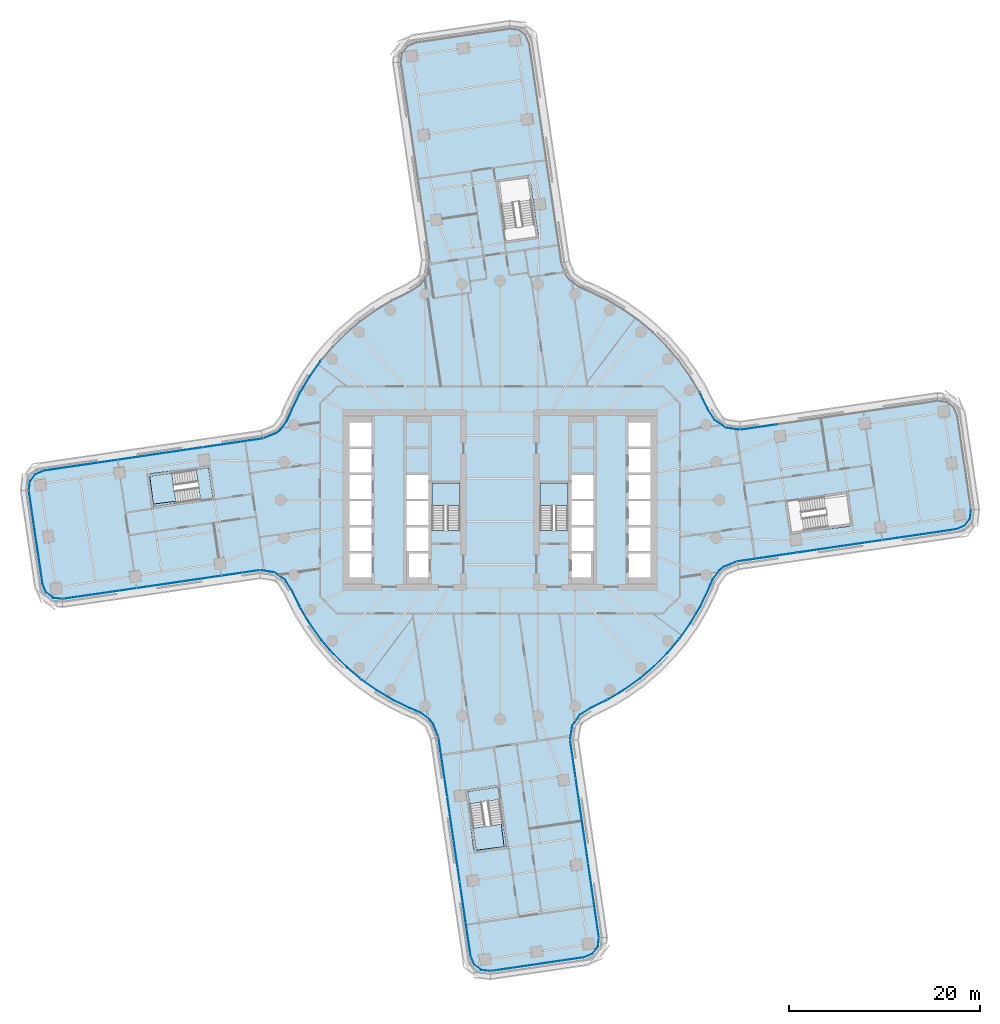
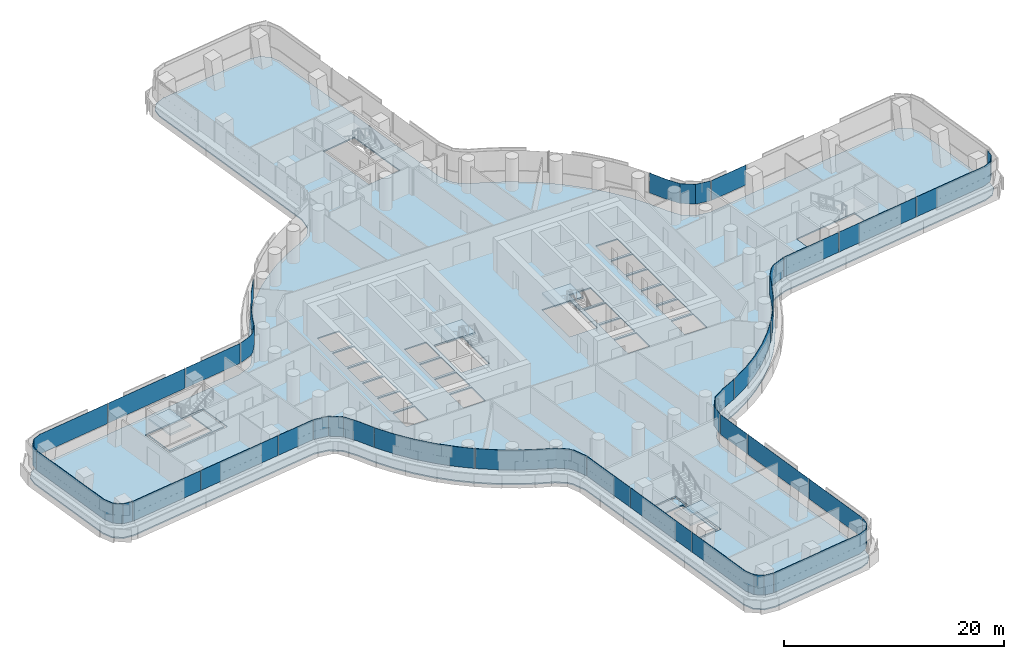
# One storey, part 17 of 31: 26 plates, 7 slabs, 16 elements without a shape of their own.
"""IFC4 building model written with IfcOpenShell, lengths in metres."""

import ifcopenshell
import ifcopenshell.guid

model = None  # the IFC model being written
_history = None  # IfcOwnerHistory: only IFC2X3 demands one
_inside = {}  # id of a spatial element -> (the spatial element, [elements in it])
_under = {}  # id of a project, library or spatial element -> (it, [spatial elements below it])
_declared = {}  # id of a project -> (the project, [libraries it declares])
_typed = {}  # id of a type object -> (the type object, [elements of that type])
_made_of = {}  # id of a material, layer set ... -> (it, [elements and type objects made of it])


def new_model(schema):
    """Start an empty IFC model of exactly this schema.

    Asked for "IFC4X3", IfcOpenShell would pick the latest addendum, in which some entities
    have other attributes; the version numbers below select the first issue.
    IFC2X3 requires an IfcOwnerHistory on every rooted entity: one is made here for all.
    """
    global model, _history
    if schema == "IFC4X3":
        model = ifcopenshell.file(schema_version=(4, 3, 0, 0))
    else:
        model = ifcopenshell.file(schema=schema)
    _inside.clear()
    _under.clear()
    _declared.clear()
    _typed.clear()
    _made_of.clear()
    _history = None
    if model.schema == "IFC2X3":
        org = make("IfcOrganization", Name="unknown")
        user = make(
            "IfcPersonAndOrganization",
            ThePerson=make("IfcPerson", FamilyName="unknown"),
            TheOrganization=org,
        )
        app = make(
            "IfcApplication",
            ApplicationDeveloper=org,
            Version="unknown",
            ApplicationFullName="unknown",
            ApplicationIdentifier="unknown",
        )
        _history = make(
            "IfcOwnerHistory",
            OwningUser=user,
            OwningApplication=app,
            ChangeAction="ADDED",
            CreationDate=0,
        )
    return model


def make(cls, **values):
    """One entity of the class cls with the attributes given. An attribute that is None is left unset."""
    return model.create_entity(
        cls, **{name: value for name, value in values.items() if value is not None}
    )


def rooted(cls, **values):
    """An entity with a GlobalId (a new one), such as an element, a storey or a relation."""
    return make(cls, GlobalId=ifcopenshell.guid.new(), OwnerHistory=_history, **values)


def si_unit(unit_type, name, prefix=None):
    """IfcSIUnit, for example si_unit("LENGTHUNIT", "METRE", prefix="MILLI")."""
    return make("IfcSIUnit", UnitType=unit_type, Prefix=prefix, Name=name)


def assignment(units):
    """IfcUnitAssignment: the units of a project."""
    return None if units is None else make("IfcUnitAssignment", Units=units)


def point(xyz):
    """IfcCartesianPoint."""
    return None if xyz is None else make("IfcCartesianPoint", Coordinates=xyz)


def direction(xyz):
    """IfcDirection."""
    return None if xyz is None else make("IfcDirection", DirectionRatios=xyz)


def frame(location, z_axis=None, x_axis=None):
    """IfcAxis2Placement3D, a coordinate frame: its origin and axes. An axis left out is left unset."""
    return make(
        "IfcAxis2Placement3D",
        Location=point(location),
        Axis=direction(z_axis),
        RefDirection=direction(x_axis),
    )


def origin():
    """The frame at (0, 0, 0) with its axes left unset."""
    return frame((0.0, 0.0, 0.0))


def place(relative_to, where):
    """IfcLocalPlacement: puts the frame where relative to a parent placement (None: the world)."""
    return make(
        "IfcLocalPlacement", PlacementRelTo=relative_to, RelativePlacement=where
    )


def context(
    kind, dimensions, precision=None, world=None, true_north=None, identifier=None
):
    """IfcGeometricRepresentationContext, for example the 3D "Model" context."""
    return make(
        "IfcGeometricRepresentationContext",
        ContextIdentifier=identifier,
        ContextType=kind,
        CoordinateSpaceDimension=dimensions,
        Precision=precision,
        WorldCoordinateSystem=world,
        TrueNorth=true_north,
    )


def subcontext(parent, identifier, kind, view, scale=None):
    """IfcGeometricRepresentationSubContext, for example "Body" below "Model"."""
    return make(
        "IfcGeometricRepresentationSubContext",
        ContextIdentifier=identifier,
        ContextType=kind,
        ParentContext=parent,
        TargetScale=scale,
        TargetView=view,
    )


def project(units=None, contexts=None):
    """IfcProject with its units and contexts."""
    return rooted(
        "IfcProject",
        Name="project",
        RepresentationContexts=contexts,
        UnitsInContext=assignment(units),
    )


def spatial(cls, under=None, at=None, **own):
    """A site, building, storey or space (cls), placed at a placement, below another one or the project."""
    s = rooted(cls, ObjectPlacement=at, **own)
    if under is not None:
        _under.setdefault(under.id(), (under, []))[1].append(s)
    return s


def polyline(points):
    """IfcPolyline through the points."""
    return make("IfcPolyline", Points=[point(p) for p in points])


def outline(outer, holes=None, kind="AREA"):
    """IfcArbitraryClosedProfileDef: a profile drawn as a closed curve; with holes, ...WithVoids."""
    if holes is None:
        return make("IfcArbitraryClosedProfileDef", ProfileType=kind, OuterCurve=outer)
    return make(
        "IfcArbitraryProfileDefWithVoids",
        ProfileType=kind,
        OuterCurve=outer,
        InnerCurves=holes,
    )


def extrude(swept, where, along, depth):
    """IfcExtrudedAreaSolid: the profile swept, set in the frame where, extruded along a direction by depth."""
    return make(
        "IfcExtrudedAreaSolid",
        SweptArea=swept,
        Position=where,
        ExtrudedDirection=direction(along),
        Depth=depth,
    )


def shape(context_of_items, identifier, shape_type, items):
    """IfcShapeRepresentation: the items that make up one representation, for example the "Body"."""
    return make(
        "IfcShapeRepresentation",
        ContextOfItems=context_of_items,
        RepresentationIdentifier=identifier,
        RepresentationType=shape_type,
        Items=items,
    )


def material(Name=None, Category=None):
    """IfcMaterial."""
    return make("IfcMaterial", Name=Name, Category=Category)


def layer(
    of_material, thickness, ventilated=None, Name=None, Category=None, Priority=None
):
    """IfcMaterialLayer: one layer of a wall or slab, of a material (None: an air gap)."""
    return make(
        "IfcMaterialLayer",
        Material=of_material,
        LayerThickness=thickness,
        IsVentilated=ventilated,
        Name=Name,
        Category=Category,
        Priority=Priority,
    )


def layer_set(layers, Name=None):
    """IfcMaterialLayerSet."""
    return make("IfcMaterialLayerSet", MaterialLayers=layers, LayerSetName=Name)


def made_of(thing, what):
    """Note that an element or type object is made of a material, layer set ...; save() writes the relation."""
    if what is not None:
        _made_of.setdefault(what.id(), (what, []))[1].append(thing)
    return thing


def type_object(cls, material=None, **own):
    """A type object (cls), such as IfcWallType, which elements share."""
    return made_of(rooted(cls, **own), material)


def element(
    cls,
    number,
    at=None,
    inside=None,
    cuts=None,
    type_object=None,
    material=None,
    context=None,
    identifier="Body",
    shape_type=None,
    held_by="IfcProductDefinitionShape",
    body=None,
    shapes=None,
    **own,
):
    """One element of the class cls, such as IfcWall. Its Tag is "e" and its number.

    at: its placement. inside: the storey or other place that contains it. cuts: it is an
    opening in that element (IfcRelVoidsElement). A single representation is given by context,
    identifier, shape_type and body (its items); several are given by shapes. held_by: the class
    of the entity that holds the representations. save() writes the other relations.
    """
    e = rooted(cls, Tag="e%d" % number, ObjectPlacement=at, **own)
    if body is not None:
        shapes = [shape(context, identifier, shape_type, body)]
    if shapes is not None:
        e.Representation = make(held_by, Representations=shapes)
    if inside is not None:
        _inside.setdefault(inside.id(), (inside, []))[1].append(e)
    if cuts is not None:
        rooted(
            "IfcRelVoidsElement", RelatingBuildingElement=cuts, RelatedOpeningElement=e
        )
    if type_object is not None:
        _typed.setdefault(type_object.id(), (type_object, []))[1].append(e)
    return made_of(e, material)


def aggregate(whole, parts):
    """IfcRelAggregates: a whole, such as a stair, and the parts it consists of."""
    return rooted("IfcRelAggregates", RelatingObject=whole, RelatedObjects=parts)


def save(model, path):
    """Write the relations noted so far, then the file.

    IfcRelAggregates (storeys below a building ...), IfcRelContainedInSpatialStructure (elements
    in a storey), IfcRelDefinesByType, IfcRelAssociatesMaterial and IfcRelDeclares: one each for
    every whole, place, type object, material and project.
    """
    for whole, parts in _under.values():
        aggregate(whole, parts)
    for where, things in _inside.values():
        rooted(
            "IfcRelContainedInSpatialStructure",
            RelatedElements=things,
            RelatingStructure=where,
        )
    for kind, things in _typed.values():
        rooted("IfcRelDefinesByType", RelatedObjects=things, RelatingType=kind)
    for what, things in _made_of.values():
        rooted("IfcRelAssociatesMaterial", RelatedObjects=things, RelatingMaterial=what)
    for by, libraries in _declared.values():
        rooted("IfcRelDeclares", RelatingContext=by, RelatedDefinitions=libraries)
    model.write(path)


model = new_model("IFC4")

# Units and contexts
model_context = context("Model", 3, precision=1e-05, world=origin(), true_north=direction((0.0, 1.0)))
body_context = subcontext(model_context, "Body", "Model", "MODEL_VIEW")
ifc_project = project(units=[si_unit("LENGTHUNIT", "METRE"), si_unit("AREAUNIT", "SQUARE_METRE"), si_unit("VOLUMEUNIT", "CUBIC_METRE"), si_unit("PLANEANGLEUNIT", "RADIAN"), si_unit("MASSUNIT", "GRAM", prefix="KILO")], contexts=[model_context])

# Site, building, storey
site_placement = place(None, origin())
site = spatial("IfcSite", under=ifc_project, at=site_placement, CompositionType="ELEMENT")
building_placement = place(site_placement, origin())
building = spatial("IfcBuilding", under=site, at=building_placement, Name="Tamarind Cross Interchange Tower", CompositionType="ELEMENT")
storey_placement = place(building_placement, frame((0.0, 0.0, 64.0)))
storey = spatial("IfcBuildingStorey", under=building, at=storey_placement, Name="L14", CompositionType="ELEMENT", Elevation=64.0)

# Slabs
ifc_material_1 = material(Name="Concrete C35", Category="concrete")
ifc_layer_1 = layer(ifc_material_1, 0.139892578125)
ifc_layer_set_1 = layer_set([ifc_layer_1], Name="Concrete C35")
slab_type_1 = type_object("IfcSlabType", Name="Composite slab 140 Concrete C35", PredefinedType="FLOOR", material=ifc_layer_set_1)
slab_1_placement = place(storey_placement, frame((0.0, 0.0, -0.139892578125)))
element("IfcSlab", 1, at=slab_1_placement, inside=storey, type_object=slab_type_1, Name="Floor slab L14", PredefinedType="FLOOR", context=body_context, shape_type="SweptSolid", body=[
    extrude(outline(polyline([(-23.57470703125, 7.184814453125), (-24.89453125, 6.64990234375), (-47.9326171875, 3.264892578125), (-48.883056640625, 2.8544921875), (-49.5009765625, 2.023681640625), (-49.62060546875, 0.99560546875), (-48.1669921875, -8.898193359375), (-47.756591796875, -9.8486328125), (-46.92578125, -10.466552734375), (-45.897705078125, -10.586181640625), (-25.177490234375, -7.567138671875), (-23.765380859375, -7.775634765625), (-22.6806640625, -8.518798828125), (-21.93310546875, -9.7333984375), (-21.054443359375, -11.511474609375), (-20.031982421875, -13.2109375), (-18.87255859375, -14.820068359375), (-17.584228515625, -16.327880859375), (-16.17578125, -17.72412109375), (-14.656982421875, -18.99951171875), (-13.0380859375, -20.14501953125), (-11.329833984375, -21.15283203125), (-9.54443359375, -22.01611328125), (-8.440673828125, -22.483642578125), (-7.503173828125, -23.1748046875), (-7.184814453125, -23.57470703125), (-6.64990234375, -24.89453125), (-3.264892578125, -47.9326171875), (-2.8544921875, -48.883056640625), (-2.023681640625, -49.5009765625), (-0.99560546875, -49.62060546875), (8.898193359375, -48.1669921875), (9.8486328125, -47.756591796875), (10.466552734375, -46.92578125), (10.586181640625, -45.897705078125), (7.567138671875, -25.177490234375), (7.775634765625, -23.765380859375), (8.518798828125, -22.6806640625), (9.7333984375, -21.93310546875), (11.511474609375, -21.054443359375), (13.2109375, -20.031982421875), (14.820068359375, -18.87255859375), (16.327880859375, -17.584228515625), (17.72412109375, -16.17578125), (18.99951171875, -14.656982421875), (20.14501953125, -13.0380859375), (21.15283203125, -11.329833984375), (22.01611328125, -9.54443359375), (22.483642578125, -8.440673828125), (23.1748046875, -7.503173828125), (23.57470703125, -7.184814453125), (24.89453125, -6.64990234375), (47.9326171875, -3.264892578125), (48.883056640625, -2.8544921875), (49.5009765625, -2.023681640625), (49.62060546875, -0.99560546875), (48.1669921875, 8.898193359375), (47.756591796875, 9.8486328125), (46.92578125, 10.466552734375), (45.897705078125, 10.586181640625), (25.177490234375, 7.567138671875), (23.765380859375, 7.775634765625), (22.6806640625, 8.518798828125), (21.93310546875, 9.7333984375), (21.054443359375, 11.511474609375), (20.031982421875, 13.2109375), (18.87255859375, 14.820068359375), (17.584228515625, 16.327880859375), (16.17578125, 17.72412109375), (14.656982421875, 18.99951171875), (13.0380859375, 20.14501953125), (11.329833984375, 21.15283203125), (9.54443359375, 22.01611328125), (8.440673828125, 22.483642578125), (7.503173828125, 23.1748046875), (7.184814453125, 23.57470703125), (6.64990234375, 24.89453125), (3.264892578125, 47.9326171875), (2.8544921875, 48.883056640625), (2.023681640625, 49.5009765625), (0.99560546875, 49.62060546875), (-8.898193359375, 48.1669921875), (-9.8486328125, 47.756591796875), (-10.466552734375, 46.92578125), (-10.586181640625, 45.897705078125), (-7.567138671875, 25.177490234375), (-7.775634765625, 23.765380859375), (-8.518798828125, 22.6806640625), (-9.7333984375, 21.93310546875), (-11.511474609375, 21.054443359375), (-13.2109375, 20.031982421875), (-14.820068359375, 18.87255859375), (-16.327880859375, 17.584228515625), (-17.72412109375, 16.17578125), (-18.99951171875, 14.656982421875), (-20.14501953125, 13.0380859375), (-21.15283203125, 11.329833984375), (-22.01611328125, 9.54443359375), (-22.483642578125, 8.440673828125), (-23.1748046875, 7.503173828125), (-23.57470703125, 7.184814453125)]), holes=[polyline([(-13.5, -8.125), (-15.800048828125, -8.125), (-15.800048828125, -5.625), (-13.5, -5.625), (-13.5, -8.125)]), polyline([(-13.5, -5.375), (-15.800048828125, -5.375), (-15.800048828125, -2.875), (-13.5, -2.875), (-13.5, -5.375)]), polyline([(-7.5, -5.375), (-9.800048828125, -5.375), (-9.800048828125, -2.875), (-7.5, -2.875), (-7.5, -5.375)]), polyline([(-15.800048828125, -2.625), (-15.800048828125, -0.125), (-13.5, -0.125), (-13.5, -2.625), (-15.800048828125, -2.625)]), polyline([(-9.800048828125, -2.625), (-9.800048828125, -0.125), (-7.5, -0.125), (-7.5, -2.625), (-9.800048828125, -2.625)]), polyline([(-36.5205078125, -0.92041015625), (-36.549560546875, -0.72265625), (-37.0146484375, 2.443359375), (-37.043701171875, 2.64111328125), (-36.76171875, 2.6826171875), (-36.769287109375, 2.7421875), (-33.50634765625, 3.160888671875), (-30.414794921875, 3.615234375), (-30.3857421875, 3.417236328125), (-29.920654296875, 0.251220703125), (-29.8916015625, 0.053466796875), (-36.5205078125, -0.92041015625)]), polyline([(-13.5, 0.125), (-15.800048828125, 0.125), (-15.800048828125, 2.625), (-13.5, 2.625), (-13.5, 0.125)]), polyline([(-9.800048828125, 0.125), (-9.800048828125, 2.625), (-7.5, 2.625), (-7.5, 0.125), (-9.800048828125, 0.125)]), polyline([(-13.5, 2.875), (-15.800048828125, 2.875), (-15.800048828125, 5.375), (-13.5, 5.375), (-13.5, 2.875)]), polyline([(-15.800048828125, 5.625), (-15.800048828125, 8.125), (-13.5, 8.125), (-13.5, 5.625), (-15.800048828125, 5.625)]), polyline([(0.92041015625, -36.5205078125), (0.72265625, -36.549560546875), (-2.443359375, -37.0146484375), (-2.64111328125, -37.043701171875), (-2.6826171875, -36.76171875), (-2.7421875, -36.769287109375), (-3.160888671875, -33.50634765625), (-3.615234375, -30.414794921875), (-3.417236328125, -30.3857421875), (-0.251220703125, -29.920654296875), (-0.053466796875, -29.8916015625), (0.92041015625, -36.5205078125)]), polyline([(-9.800048828125, -8.125), (-9.800048828125, -5.625), (-7.5, -5.625), (-7.5, -8.125), (-9.800048828125, -8.125)]), polyline([(9.800048828125, -2.875), (9.800048828125, -5.375), (7.5, -5.375), (7.5, -2.875), (9.800048828125, -2.875)]), polyline([(-4.199951171875, 1.800048828125), (-4.199951171875, -3.18798828125), (-7.14990234375, -3.18798828125), (-7.14990234375, 1.800048828125), (-4.199951171875, 1.800048828125)]), polyline([(7.14990234375, 1.800048828125), (7.14990234375, -3.18798828125), (4.199951171875, -3.18798828125), (4.199951171875, 1.800048828125), (7.14990234375, 1.800048828125)]), polyline([(4.05126953125, 27.44677734375), (3.853515625, 27.417724609375), (0.6875, 26.952392578125), (0.489501953125, 26.923583984375), (-0.484375, 33.55224609375), (-0.28662109375, 33.581298828125), (2.87939453125, 34.04638671875), (3.077392578125, 34.07568359375), (3.118896484375, 33.79296875), (3.1240234375, 33.793701171875), (3.160888671875, 33.50634765625), (4.05126953125, 27.44677734375)]), polyline([(7.5, -5.625), (9.800048828125, -5.625), (9.800048828125, -8.125), (7.5, -8.125), (7.5, -5.625)]), polyline([(15.800048828125, -5.625), (15.800048828125, -8.125), (13.5, -8.125), (13.5, -5.625), (15.800048828125, -5.625)]), polyline([(15.800048828125, -2.875), (15.800048828125, -5.375), (13.5, -5.375), (13.5, -2.875), (15.800048828125, -2.875)]), polyline([(30.414794921875, -3.615234375), (30.3857421875, -3.417236328125), (29.920654296875, -0.251220703125), (29.8916015625, -0.053466796875), (36.5205078125, 0.92041015625), (36.549560546875, 0.72265625), (37.0146484375, -2.443359375), (37.043701171875, -2.64111328125), (36.76171875, -2.6826171875), (36.769287109375, -2.7421875), (33.50634765625, -3.160888671875), (30.414794921875, -3.615234375)]), polyline([(9.800048828125, -0.125), (9.800048828125, -2.625), (7.5, -2.625), (7.5, -0.125), (9.800048828125, -0.125)]), polyline([(15.800048828125, -0.125), (15.800048828125, -2.625), (13.5, -2.625), (13.5, -0.125), (15.800048828125, -0.125)]), polyline([(9.800048828125, 2.625), (9.800048828125, 0.125), (7.5, 0.125), (7.5, 2.625), (9.800048828125, 2.625)]), polyline([(13.5, 2.625), (15.800048828125, 2.625), (15.800048828125, 0.125), (13.5, 0.125), (13.5, 2.625)]), polyline([(15.800048828125, 5.375), (15.800048828125, 2.875), (13.5, 2.875), (13.5, 5.375), (15.800048828125, 5.375)]), polyline([(15.800048828125, 8.125), (15.800048828125, 5.625), (13.5, 5.625), (13.5, 8.125), (15.800048828125, 8.125)])]), origin(), (0.0, 0.0, 1.0), 0.139892578125),
])
slab_2_placement = place(storey_placement, frame((0.0, 0.0, -0.139892578125)))
element("IfcSlab", 2, at=slab_2_placement, inside=storey, type_object=slab_type_1, Name="Floor slab L14", PredefinedType="FLOOR", context=body_context, shape_type="SweptSolid", body=[
    extrude(outline(polyline([(-36.81689453125, 2.472412109375), (-36.3515625, -0.693603515625), (-30.118408203125, 0.22216796875), (-30.583740234375, 3.38818359375), (-31.80029296875, 3.20947265625), (-31.8818359375, 3.197509765625), (-31.44140625, 0.19970703125), (-36.36181640625, -0.431884765625), (-36.736083984375, 2.484375), (-36.81689453125, 2.472412109375)])), origin(), (0.0, 0.0, 1.0), 0.139892578125),
])
slab_3_placement = place(storey_placement, frame((0.0, 0.0, -0.139892578125)))
element("IfcSlab", 3, at=slab_3_placement, inside=storey, type_object=slab_type_1, Name="Floor slab L14", PredefinedType="FLOOR", context=body_context, shape_type="SweptSolid", body=[
    extrude(outline(polyline([(-2.472412109375, -36.81689453125), (0.693603515625, -36.3515625), (-0.22216796875, -30.118408203125), (-3.38818359375, -30.583740234375), (-3.20947265625, -31.80029296875), (-3.197509765625, -31.8818359375), (-0.19970703125, -31.44140625), (0.431884765625, -36.36181640625), (-2.484375, -36.736083984375), (-2.472412109375, -36.81689453125)])), origin(), (0.0, 0.0, 1.0), 0.139892578125),
])

# Stair, slab
ifc_material_2 = material(Name="Exit stair")
stair_type = type_object("IfcStairType", Name="Exit stair", PredefinedType="HALF_TURN_STAIR", material=ifc_material_2)
stair_1_placement = place(storey_placement, origin())
stair_1 = element("IfcStair", 4, at=stair_1_placement, inside=storey, type_object=stair_type, Name="L14 exit stair ST1", PredefinedType="HALF_TURN_STAIR")
ifc_material_3 = material(Name="Concrete C40", Category="concrete")
ifc_layer_2 = layer(ifc_material_3, 0.199951171875)
ifc_layer_set_2 = layer_set([ifc_layer_2], Name="Concrete C40")
slab_type_2 = type_object("IfcSlabType", Name="Stair landing", PredefinedType="LANDING", material=ifc_layer_set_2)
slab_4_placement = place(storey_placement, frame((0.0, 0.0, 1.675048828125)))
slab_4 = element("IfcSlab", 5, at=slab_4_placement, type_object=slab_type_2, Name="ST1 landing 1", PredefinedType="LANDING", context=body_context, shape_type="SweptSolid", body=[
    extrude(outline(polyline([(-4.199951171875, -0.60009765625), (-4.199951171875, 1.800048828125), (-7.14990234375, 1.800048828125), (-7.14990234375, -0.60009765625), (-4.199951171875, -0.60009765625)])), origin(), (0.0, 0.0, 1.0), 0.199951171875),
])
aggregate(stair_1, [slab_4])

stair_2_placement = place(storey_placement, origin())
stair_2 = element("IfcStair", 6, at=stair_2_placement, inside=storey, type_object=stair_type, Name="L14 exit stair ST2", PredefinedType="HALF_TURN_STAIR")
slab_5_placement = place(storey_placement, frame((0.0, 0.0, 1.675048828125)))
slab_5 = element("IfcSlab", 7, at=slab_5_placement, type_object=slab_type_2, Name="ST2 landing 1", PredefinedType="LANDING", context=body_context, shape_type="SweptSolid", body=[
    extrude(outline(polyline([(7.14990234375, -0.60009765625), (7.14990234375, 1.800048828125), (4.199951171875, 1.800048828125), (4.199951171875, -0.60009765625), (7.14990234375, -0.60009765625)])), origin(), (0.0, 0.0, 1.0), 0.199951171875),
])
aggregate(stair_2, [slab_5])

stair_3_placement = place(storey_placement, origin())
stair_3 = element("IfcStair", 8, at=stair_3_placement, inside=storey, type_object=stair_type, Name="L14 exit stair ST5", PredefinedType="HALF_TURN_STAIR")
slab_6_placement = place(storey_placement, frame((0.0, 0.0, 1.675048828125)))
slab_6 = element("IfcSlab", 9, at=slab_6_placement, type_object=slab_type_2, Name="ST5 landing 1", PredefinedType="LANDING", context=body_context, shape_type="SweptSolid", body=[
    extrude(outline(polyline([(-34.430419921875, 2.822998046875), (-36.81689453125, 2.472412109375), (-36.3515625, -0.693603515625), (-33.96533203125, -0.343017578125), (-34.430419921875, 2.822998046875)])), origin(), (0.0, 0.0, 1.0), 0.199951171875),
])
aggregate(stair_3, [slab_6])

stair_4_placement = place(storey_placement, origin())
stair_4 = element("IfcStair", 10, at=stair_4_placement, inside=storey, type_object=stair_type, Name="L14 exit stair ST6", PredefinedType="HALF_TURN_STAIR")
slab_7_placement = place(storey_placement, frame((0.0, 0.0, 1.675048828125)))
slab_7 = element("IfcSlab", 11, at=slab_7_placement, type_object=slab_type_2, Name="ST6 landing 1", PredefinedType="LANDING", context=body_context, shape_type="SweptSolid", body=[
    extrude(outline(polyline([(-2.822998046875, -34.430419921875), (-2.472412109375, -36.81689453125), (0.693603515625, -36.3515625), (0.343017578125, -33.96533203125), (-2.822998046875, -34.430419921875)])), origin(), (0.0, 0.0, 1.0), 0.199951171875),
])
aggregate(stair_4, [slab_7])

# Curtain wall, plate
ifc_material_4 = material(Name="Aluminium 6063-T6", Category="aluminium")
ifc_layer_3 = layer(ifc_material_4, 0.159912109375)
ifc_layer_set_3 = layer_set([ifc_layer_3], Name="Aluminium 6063-T6")
curtain_wall_type = type_object("IfcCurtainWallType", Name="Office curtain wall, 9.0 m bays", PredefinedType="NOTDEFINED", material=ifc_layer_set_3)
curtain_wall_1_placement = place(storey_placement, origin())
curtain_wall_1 = element("IfcCurtainWall", 12, at=curtain_wall_1_placement, inside=storey, type_object=curtain_wall_type, Name="CWS-L14-00", PredefinedType="NOTDEFINED")
ifc_material_5 = material(Name="Laminated low-e glass 8+1.52+8", Category="glass")
ifc_layer_4 = layer(ifc_material_5, 0.028076171875)
ifc_layer_set_4 = layer_set([ifc_layer_4], Name="Laminated low-e glass 8+1.52+8")
plate_type = type_object("IfcPlateType", Name="Vision panel CW1", PredefinedType="CURTAIN_PANEL", material=ifc_layer_set_4)
plate_1_placement = place(storey_placement, frame((0.0, 0.0, 1.39990234375)))
plate_1 = element("IfcPlate", 13, at=plate_1_placement, type_object=plate_type, Name="CWP-L14-00-00", PredefinedType="CURTAIN_PANEL", context=body_context, shape_type="SweptSolid", body=[
    extrude(outline(polyline([(-49.40087890625, 0.970947265625), (-47.95947265625, -8.83935546875), (-47.5830078125, -9.711181640625), (-46.84423828125, -10.2607421875), (-45.9287109375, -10.3671875), (-45.931884765625, -10.39501953125), (-46.85498046875, -10.28759765625), (-47.605712890625, -9.729248046875), (-47.986572265625, -8.846923828125), (-49.428466796875, 0.966796875), (-49.40087890625, 0.970947265625)])), origin(), (0.0, 0.0, 1.0), 2.210205078125),
])
aggregate(curtain_wall_1, [plate_1])

# Curtain wall, plates
curtain_wall_2_placement = place(storey_placement, origin())
curtain_wall_2 = element("IfcCurtainWall", 14, at=curtain_wall_2_placement, inside=storey, type_object=curtain_wall_type, Name="CWS-L14-01", PredefinedType="NOTDEFINED")
plate_2_placement = place(storey_placement, frame((0.0, 0.0, 1.39990234375)))
plate_2 = element("IfcPlate", 15, at=plate_2_placement, type_object=plate_type, Name="CWP-L14-01-00", PredefinedType="CURTAIN_PANEL", context=body_context, shape_type="SweptSolid", body=[
    extrude(outline(polyline([(-45.872802734375, -10.366455078125), (-38.130859375, -9.23828125), (-38.126708984375, -9.26611328125), (-45.868896484375, -10.39404296875), (-45.872802734375, -10.366455078125)])), origin(), (0.0, 0.0, 1.0), 2.210205078125),
])
plate_3_placement = place(storey_placement, frame((0.0, 0.0, 1.39990234375)))
plate_3 = element("IfcPlate", 16, at=plate_3_placement, type_object=plate_type, Name="CWP-L14-01-01", PredefinedType="CURTAIN_PANEL", context=body_context, shape_type="SweptSolid", body=[
    extrude(outline(polyline([(-38.071533203125, -9.229736328125), (-29.2236328125, -7.9404296875), (-29.219482421875, -7.96826171875), (-38.0673828125, -9.25732421875), (-38.071533203125, -9.229736328125)])), origin(), (0.0, 0.0, 1.0), 2.210205078125),
])
plate_4_placement = place(storey_placement, frame((0.0, 0.0, 1.39990234375)))
plate_4 = element("IfcPlate", 17, at=plate_4_placement, type_object=plate_type, Name="CWP-L14-01-02", PredefinedType="CURTAIN_PANEL", context=body_context, shape_type="SweptSolid", body=[
    extrude(outline(polyline([(-29.1640625, -7.931884765625), (-25.208984375, -7.35546875), (-25.204833984375, -7.38330078125), (-29.16015625, -7.95947265625), (-29.1640625, -7.931884765625)])), origin(), (0.0, 0.0, 1.0), 2.210205078125),
])
aggregate(curtain_wall_2, [plate_2, plate_3, plate_4])

curtain_wall_3_placement = place(storey_placement, origin())
curtain_wall_3 = element("IfcCurtainWall", 18, at=curtain_wall_3_placement, inside=storey, type_object=curtain_wall_type, Name="CWS-L14-02", PredefinedType="NOTDEFINED")
plate_5_placement = place(storey_placement, frame((0.0, 0.0, 1.39990234375)))
plate_5 = element("IfcPlate", 19, at=plate_5_placement, type_object=plate_type, Name="CWP-L14-02-00", PredefinedType="CURTAIN_PANEL", context=body_context, shape_type="SweptSolid", body=[
    extrude(outline(polyline([(-25.1455078125, -7.35546875), (-23.685302734375, -7.5712890625), (-22.522216796875, -8.367919921875), (-21.74560546875, -9.6298828125), (-20.960205078125, -11.218994140625), (-20.9853515625, -11.2314453125), (-21.770263671875, -9.643310546875), (-22.54296875, -8.3876953125), (-23.69580078125, -7.597900390625), (-25.149658203125, -7.38330078125), (-25.1455078125, -7.35546875)])), origin(), (0.0, 0.0, 1.0), 2.210205078125),
])
plate_6_placement = place(storey_placement, frame((0.0, 0.0, 1.39990234375)))
plate_6 = element("IfcPlate", 20, at=plate_6_placement, type_object=plate_type, Name="CWP-L14-02-01", PredefinedType="CURTAIN_PANEL", context=body_context, shape_type="SweptSolid", body=[
    extrude(outline(polyline([(-20.93359375, -11.27294921875), (-20.866455078125, -11.40869140625), (-19.85302734375, -13.093017578125), (-18.7041015625, -14.687744140625), (-17.42724609375, -16.18212890625), (-16.031494140625, -17.56591796875), (-14.68408203125, -18.697265625), (-14.7021484375, -18.718505859375), (-16.05029296875, -17.586669921875), (-17.44775390625, -16.201171875), (-18.72607421875, -14.705078125), (-19.87646484375, -13.1083984375), (-20.89111328125, -11.422119140625), (-20.958740234375, -11.285400390625), (-20.93359375, -11.27294921875)])), origin(), (0.0, 0.0, 1.0), 2.210205078125),
])
plate_7_placement = place(storey_placement, frame((0.0, 0.0, 1.39990234375)))
plate_7 = element("IfcPlate", 21, at=plate_7_placement, type_object=plate_type, Name="CWP-L14-02-02", PredefinedType="CURTAIN_PANEL", context=body_context, shape_type="SweptSolid", body=[
    extrude(outline(polyline([(-14.63818359375, -18.73583984375), (-14.526123046875, -18.829833984375), (-12.921630859375, -19.965087890625), (-11.228759765625, -20.9638671875), (-9.4560546875, -21.821044921875), (-8.333984375, -22.29638671875), (-7.353271484375, -23.019287109375), (-6.998046875, -23.465576171875), (-6.453857421875, -24.80859375), (-6.479736328125, -24.819091796875), (-7.0224609375, -23.47998046875), (-7.373046875, -23.03955078125), (-8.347900390625, -22.321044921875), (-9.467529296875, -21.8466796875), (-11.241943359375, -20.98876953125), (-12.936767578125, -19.988525390625), (-14.543212890625, -18.85205078125), (-14.65625, -18.75732421875), (-14.63818359375, -18.73583984375)])), origin(), (0.0, 0.0, 1.0), 2.210205078125),
])
aggregate(curtain_wall_3, [plate_5, plate_6, plate_7])

curtain_wall_4_placement = place(storey_placement, origin())
curtain_wall_4 = element("IfcCurtainWall", 22, at=curtain_wall_4_placement, inside=storey, type_object=curtain_wall_type, Name="CWS-L14-03", PredefinedType="NOTDEFINED")
plate_8_placement = place(storey_placement, frame((0.0, 0.0, 1.39990234375)))
plate_8 = element("IfcPlate", 23, at=plate_8_placement, type_object=plate_type, Name="CWP-L14-03-00", PredefinedType="CURTAIN_PANEL", context=body_context, shape_type="SweptSolid", body=[
    extrude(outline(polyline([(-6.437255859375, -24.869384765625), (-5.515380859375, -31.144287109375), (-5.54296875, -31.148193359375), (-6.465087890625, -24.873291015625), (-6.437255859375, -24.869384765625)])), origin(), (0.0, 0.0, 1.0), 2.210205078125),
])
plate_9_placement = place(storey_placement, frame((0.0, 0.0, 1.39990234375)))
plate_9 = element("IfcPlate", 24, at=plate_9_placement, type_object=plate_type, Name="CWP-L14-03-01", PredefinedType="CURTAIN_PANEL", context=body_context, shape_type="SweptSolid", body=[
    extrude(outline(polyline([(-5.506591796875, -31.20361328125), (-4.207275390625, -40.0478515625), (-4.23486328125, -40.0517578125), (-5.534423828125, -31.207763671875), (-5.506591796875, -31.20361328125)])), origin(), (0.0, 0.0, 1.0), 2.210205078125),
])
plate_10_placement = place(storey_placement, frame((0.0, 0.0, 1.39990234375)))
plate_10 = element("IfcPlate", 25, at=plate_10_placement, type_object=plate_type, Name="CWP-L14-03-02", PredefinedType="CURTAIN_PANEL", context=body_context, shape_type="SweptSolid", body=[
    extrude(outline(polyline([(-4.198486328125, -40.107177734375), (-3.057373046875, -47.873779296875), (-2.6806640625, -48.74560546875), (-1.942138671875, -49.295166015625), (-1.026611328125, -49.401611328125), (-1.030029296875, -49.429443359375), (-1.952880859375, -49.322021484375), (-2.70361328125, -48.763671875), (-3.08447265625, -47.88134765625), (-4.22607421875, -40.111083984375), (-4.198486328125, -40.107177734375)])), origin(), (0.0, 0.0, 1.0), 2.210205078125),
])
aggregate(curtain_wall_4, [plate_8, plate_9, plate_10])

# Curtain wall, plate
curtain_wall_5_placement = place(storey_placement, origin())
curtain_wall_5 = element("IfcCurtainWall", 26, at=curtain_wall_5_placement, inside=storey, type_object=curtain_wall_type, Name="CWS-L14-04", PredefinedType="NOTDEFINED")
plate_11_placement = place(storey_placement, frame((0.0, 0.0, 1.39990234375)))
plate_11 = element("IfcPlate", 27, at=plate_11_placement, type_object=plate_type, Name="CWP-L14-04-00", PredefinedType="CURTAIN_PANEL", context=body_context, shape_type="SweptSolid", body=[
    extrude(outline(polyline([(-0.970947265625, -49.40087890625), (8.83935546875, -47.95947265625), (9.711181640625, -47.5830078125), (10.2607421875, -46.84423828125), (10.3671875, -45.9287109375), (10.39501953125, -45.931884765625), (10.28759765625, -46.85498046875), (9.729248046875, -47.605712890625), (8.846923828125, -47.986572265625), (-0.966796875, -49.428466796875), (-0.970947265625, -49.40087890625)])), origin(), (0.0, 0.0, 1.0), 2.210205078125),
])
aggregate(curtain_wall_5, [plate_11])

# Curtain wall, plates
curtain_wall_6_placement = place(storey_placement, origin())
curtain_wall_6 = element("IfcCurtainWall", 28, at=curtain_wall_6_placement, inside=storey, type_object=curtain_wall_type, Name="CWS-L14-05", PredefinedType="NOTDEFINED")
plate_12_placement = place(storey_placement, frame((0.0, 0.0, 1.39990234375)))
plate_12 = element("IfcPlate", 29, at=plate_12_placement, type_object=plate_type, Name="CWP-L14-05-00", PredefinedType="CURTAIN_PANEL", context=body_context, shape_type="SweptSolid", body=[
    extrude(outline(polyline([(10.366455078125, -45.872802734375), (9.23828125, -38.130859375), (9.26611328125, -38.126708984375), (10.39404296875, -45.868896484375), (10.366455078125, -45.872802734375)])), origin(), (0.0, 0.0, 1.0), 2.210205078125),
])
plate_13_placement = place(storey_placement, frame((0.0, 0.0, 1.39990234375)))
plate_13 = element("IfcPlate", 30, at=plate_13_placement, type_object=plate_type, Name="CWP-L14-05-01", PredefinedType="CURTAIN_PANEL", context=body_context, shape_type="SweptSolid", body=[
    extrude(outline(polyline([(9.229736328125, -38.071533203125), (7.9404296875, -29.2236328125), (7.96826171875, -29.219482421875), (9.25732421875, -38.0673828125), (9.229736328125, -38.071533203125)])), origin(), (0.0, 0.0, 1.0), 2.210205078125),
])
plate_14_placement = place(storey_placement, frame((0.0, 0.0, 1.39990234375)))
plate_14 = element("IfcPlate", 31, at=plate_14_placement, type_object=plate_type, Name="CWP-L14-05-02", PredefinedType="CURTAIN_PANEL", context=body_context, shape_type="SweptSolid", body=[
    extrude(outline(polyline([(7.931884765625, -29.1640625), (7.35546875, -25.208984375), (7.38330078125, -25.204833984375), (7.95947265625, -29.16015625), (7.931884765625, -29.1640625)])), origin(), (0.0, 0.0, 1.0), 2.210205078125),
])
aggregate(curtain_wall_6, [plate_12, plate_13, plate_14])

curtain_wall_7_placement = place(storey_placement, origin())
curtain_wall_7 = element("IfcCurtainWall", 32, at=curtain_wall_7_placement, inside=storey, type_object=curtain_wall_type, Name="CWS-L14-06", PredefinedType="NOTDEFINED")
plate_15_placement = place(storey_placement, frame((0.0, 0.0, 1.39990234375)))
plate_15 = element("IfcPlate", 33, at=plate_15_placement, type_object=plate_type, Name="CWP-L14-06-00", PredefinedType="CURTAIN_PANEL", context=body_context, shape_type="SweptSolid", body=[
    extrude(outline(polyline([(7.35546875, -25.1455078125), (7.5712890625, -23.685302734375), (8.367919921875, -22.522216796875), (9.6298828125, -21.74560546875), (11.218994140625, -20.960205078125), (11.2314453125, -20.9853515625), (9.643310546875, -21.770263671875), (8.3876953125, -22.54296875), (7.597900390625, -23.69580078125), (7.38330078125, -25.149658203125), (7.35546875, -25.1455078125)])), origin(), (0.0, 0.0, 1.0), 2.210205078125),
])
plate_16_placement = place(storey_placement, frame((0.0, 0.0, 1.39990234375)))
plate_16 = element("IfcPlate", 34, at=plate_16_placement, type_object=plate_type, Name="CWP-L14-06-01", PredefinedType="CURTAIN_PANEL", context=body_context, shape_type="SweptSolid", body=[
    extrude(outline(polyline([(11.27294921875, -20.93359375), (11.40869140625, -20.866455078125), (13.093017578125, -19.85302734375), (14.687744140625, -18.7041015625), (16.18212890625, -17.42724609375), (17.56591796875, -16.031494140625), (18.697265625, -14.68408203125), (18.718505859375, -14.7021484375), (17.586669921875, -16.05029296875), (16.201171875, -17.44775390625), (14.705078125, -18.72607421875), (13.1083984375, -19.87646484375), (11.422119140625, -20.89111328125), (11.285400390625, -20.958740234375), (11.27294921875, -20.93359375)])), origin(), (0.0, 0.0, 1.0), 2.210205078125),
])
plate_17_placement = place(storey_placement, frame((0.0, 0.0, 1.39990234375)))
plate_17 = element("IfcPlate", 35, at=plate_17_placement, type_object=plate_type, Name="CWP-L14-06-02", PredefinedType="CURTAIN_PANEL", context=body_context, shape_type="SweptSolid", body=[
    extrude(outline(polyline([(18.73583984375, -14.63818359375), (18.829833984375, -14.526123046875), (19.965087890625, -12.921630859375), (20.9638671875, -11.228759765625), (21.821044921875, -9.4560546875), (22.29638671875, -8.333984375), (23.019287109375, -7.353271484375), (23.465576171875, -6.998046875), (24.80859375, -6.453857421875), (24.819091796875, -6.479736328125), (23.47998046875, -7.0224609375), (23.03955078125, -7.373046875), (22.321044921875, -8.347900390625), (21.8466796875, -9.467529296875), (20.98876953125, -11.241943359375), (19.988525390625, -12.936767578125), (18.85205078125, -14.543212890625), (18.75732421875, -14.65625), (18.73583984375, -14.63818359375)])), origin(), (0.0, 0.0, 1.0), 2.210205078125),
])
aggregate(curtain_wall_7, [plate_15, plate_16, plate_17])

curtain_wall_8_placement = place(storey_placement, origin())
curtain_wall_8 = element("IfcCurtainWall", 36, at=curtain_wall_8_placement, inside=storey, type_object=curtain_wall_type, Name="CWS-L14-07", PredefinedType="NOTDEFINED")
plate_18_placement = place(storey_placement, frame((0.0, 0.0, 1.39990234375)))
plate_18 = element("IfcPlate", 37, at=plate_18_placement, type_object=plate_type, Name="CWP-L14-07-00", PredefinedType="CURTAIN_PANEL", context=body_context, shape_type="SweptSolid", body=[
    extrude(outline(polyline([(24.869384765625, -6.437255859375), (31.144287109375, -5.515380859375), (31.148193359375, -5.54296875), (24.873291015625, -6.465087890625), (24.869384765625, -6.437255859375)])), origin(), (0.0, 0.0, 1.0), 2.210205078125),
])
plate_19_placement = place(storey_placement, frame((0.0, 0.0, 1.39990234375)))
plate_19 = element("IfcPlate", 38, at=plate_19_placement, type_object=plate_type, Name="CWP-L14-07-01", PredefinedType="CURTAIN_PANEL", context=body_context, shape_type="SweptSolid", body=[
    extrude(outline(polyline([(31.20361328125, -5.506591796875), (40.0478515625, -4.207275390625), (40.0517578125, -4.23486328125), (31.207763671875, -5.534423828125), (31.20361328125, -5.506591796875)])), origin(), (0.0, 0.0, 1.0), 2.210205078125),
])
plate_20_placement = place(storey_placement, frame((0.0, 0.0, 1.39990234375)))
plate_20 = element("IfcPlate", 39, at=plate_20_placement, type_object=plate_type, Name="CWP-L14-07-02", PredefinedType="CURTAIN_PANEL", context=body_context, shape_type="SweptSolid", body=[
    extrude(outline(polyline([(40.107177734375, -4.198486328125), (47.873779296875, -3.057373046875), (48.74560546875, -2.6806640625), (49.295166015625, -1.942138671875), (49.401611328125, -1.026611328125), (49.429443359375, -1.030029296875), (49.322021484375, -1.952880859375), (48.763671875, -2.70361328125), (47.88134765625, -3.08447265625), (40.111083984375, -4.22607421875), (40.107177734375, -4.198486328125)])), origin(), (0.0, 0.0, 1.0), 2.210205078125),
])
aggregate(curtain_wall_8, [plate_18, plate_19, plate_20])

# Curtain wall, plate
curtain_wall_9_placement = place(storey_placement, origin())
curtain_wall_9 = element("IfcCurtainWall", 40, at=curtain_wall_9_placement, inside=storey, type_object=curtain_wall_type, Name="CWS-L14-09", PredefinedType="NOTDEFINED")
plate_21_placement = place(storey_placement, frame((0.0, 0.0, 1.39990234375)))
plate_21 = element("IfcPlate", 41, at=plate_21_placement, type_object=plate_type, Name="CWP-L14-09-02", PredefinedType="CURTAIN_PANEL", context=body_context, shape_type="SweptSolid", body=[
    extrude(outline(polyline([(29.1640625, 7.931884765625), (25.208984375, 7.35546875), (25.204833984375, 7.38330078125), (29.16015625, 7.95947265625), (29.1640625, 7.931884765625)])), origin(), (0.0, 0.0, 1.0), 2.210205078125),
])
aggregate(curtain_wall_9, [plate_21])

curtain_wall_10_placement = place(storey_placement, origin())
curtain_wall_10 = element("IfcCurtainWall", 42, at=curtain_wall_10_placement, inside=storey, type_object=curtain_wall_type, Name="CWS-L14-10", PredefinedType="NOTDEFINED")
plate_22_placement = place(storey_placement, frame((0.0, 0.0, 1.39990234375)))
plate_22 = element("IfcPlate", 43, at=plate_22_placement, type_object=plate_type, Name="CWP-L14-10-00", PredefinedType="CURTAIN_PANEL", context=body_context, shape_type="SweptSolid", body=[
    extrude(outline(polyline([(25.1455078125, 7.35546875), (23.685302734375, 7.5712890625), (22.522216796875, 8.367919921875), (21.74560546875, 9.6298828125), (20.960205078125, 11.218994140625), (20.9853515625, 11.2314453125), (21.770263671875, 9.643310546875), (22.54296875, 8.3876953125), (23.69580078125, 7.597900390625), (25.149658203125, 7.38330078125), (25.1455078125, 7.35546875)])), origin(), (0.0, 0.0, 1.0), 2.210205078125),
])
aggregate(curtain_wall_10, [plate_22])

curtain_wall_11_placement = place(storey_placement, origin())
curtain_wall_11 = element("IfcCurtainWall", 44, at=curtain_wall_11_placement, inside=storey, type_object=curtain_wall_type, Name="CWS-L14-14", PredefinedType="NOTDEFINED")
plate_23_placement = place(storey_placement, frame((0.0, 0.0, 1.39990234375)))
plate_23 = element("IfcPlate", 45, at=plate_23_placement, type_object=plate_type, Name="CWP-L14-14-02", PredefinedType="CURTAIN_PANEL", context=body_context, shape_type="SweptSolid", body=[
    extrude(outline(polyline([(-18.73583984375, 14.63818359375), (-18.829833984375, 14.526123046875), (-19.965087890625, 12.921630859375), (-20.9638671875, 11.228759765625), (-21.821044921875, 9.4560546875), (-22.29638671875, 8.333984375), (-23.019287109375, 7.353271484375), (-23.465576171875, 6.998046875), (-24.80859375, 6.453857421875), (-24.819091796875, 6.479736328125), (-23.47998046875, 7.0224609375), (-23.03955078125, 7.373046875), (-22.321044921875, 8.347900390625), (-21.8466796875, 9.467529296875), (-20.98876953125, 11.241943359375), (-19.988525390625, 12.936767578125), (-18.85205078125, 14.543212890625), (-18.75732421875, 14.65625), (-18.73583984375, 14.63818359375)])), origin(), (0.0, 0.0, 1.0), 2.210205078125),
])
aggregate(curtain_wall_11, [plate_23])

# Curtain wall, plates
curtain_wall_12_placement = place(storey_placement, origin())
curtain_wall_12 = element("IfcCurtainWall", 46, at=curtain_wall_12_placement, inside=storey, type_object=curtain_wall_type, Name="CWS-L14-15", PredefinedType="NOTDEFINED")
plate_24_placement = place(storey_placement, frame((0.0, 0.0, 1.39990234375)))
plate_24 = element("IfcPlate", 47, at=plate_24_placement, type_object=plate_type, Name="CWP-L14-15-00", PredefinedType="CURTAIN_PANEL", context=body_context, shape_type="SweptSolid", body=[
    extrude(outline(polyline([(-24.869384765625, 6.437255859375), (-31.144287109375, 5.515380859375), (-31.148193359375, 5.54296875), (-24.873291015625, 6.465087890625), (-24.869384765625, 6.437255859375)])), origin(), (0.0, 0.0, 1.0), 2.210205078125),
])
plate_25_placement = place(storey_placement, frame((0.0, 0.0, 1.39990234375)))
plate_25 = element("IfcPlate", 48, at=plate_25_placement, type_object=plate_type, Name="CWP-L14-15-01", PredefinedType="CURTAIN_PANEL", context=body_context, shape_type="SweptSolid", body=[
    extrude(outline(polyline([(-31.20361328125, 5.506591796875), (-40.0478515625, 4.207275390625), (-40.0517578125, 4.23486328125), (-31.207763671875, 5.534423828125), (-31.20361328125, 5.506591796875)])), origin(), (0.0, 0.0, 1.0), 2.210205078125),
])
plate_26_placement = place(storey_placement, frame((0.0, 0.0, 1.39990234375)))
plate_26 = element("IfcPlate", 49, at=plate_26_placement, type_object=plate_type, Name="CWP-L14-15-02", PredefinedType="CURTAIN_PANEL", context=body_context, shape_type="SweptSolid", body=[
    extrude(outline(polyline([(-40.107177734375, 4.198486328125), (-47.873779296875, 3.057373046875), (-48.74560546875, 2.6806640625), (-49.295166015625, 1.942138671875), (-49.401611328125, 1.026611328125), (-49.429443359375, 1.030029296875), (-49.322021484375, 1.952880859375), (-48.763671875, 2.70361328125), (-47.88134765625, 3.08447265625), (-40.111083984375, 4.22607421875), (-40.107177734375, 4.198486328125)])), origin(), (0.0, 0.0, 1.0), 2.210205078125),
])
aggregate(curtain_wall_12, [plate_24, plate_25, plate_26])

save(model, "model.ifc")
